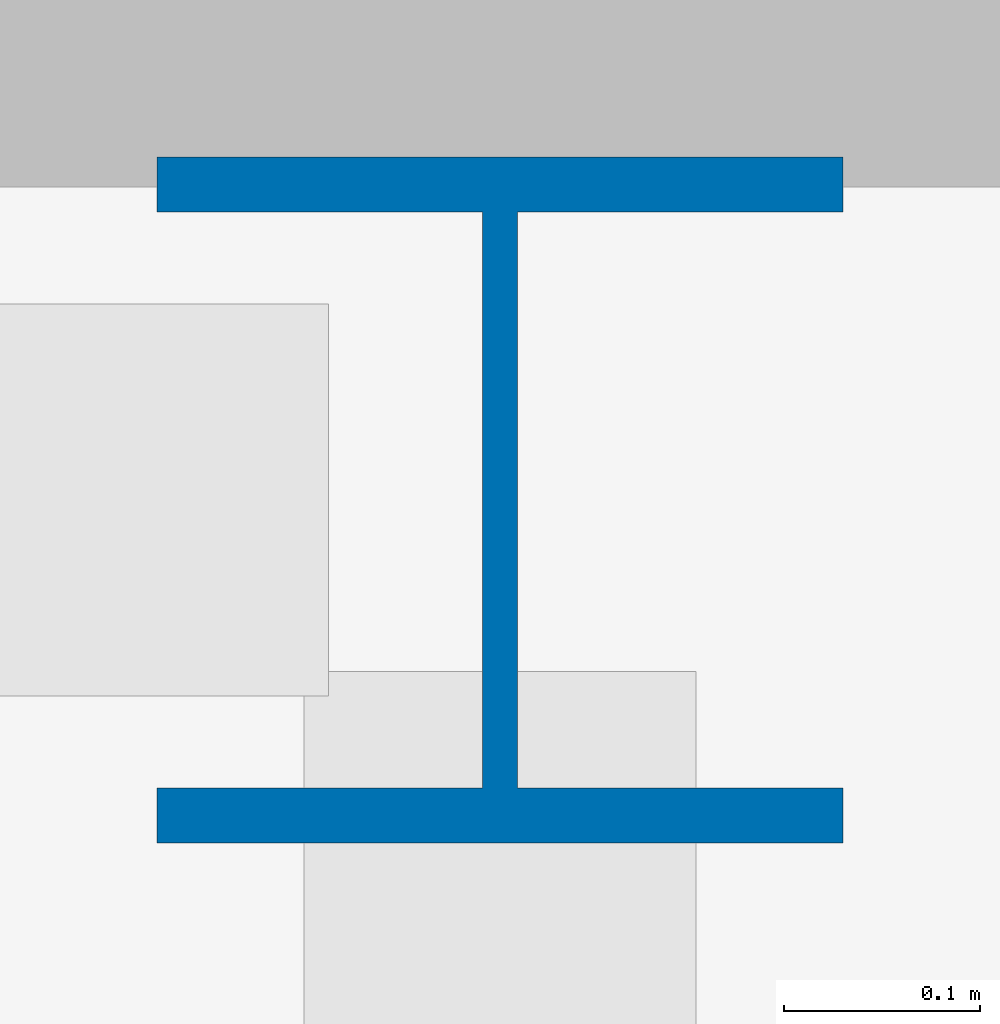
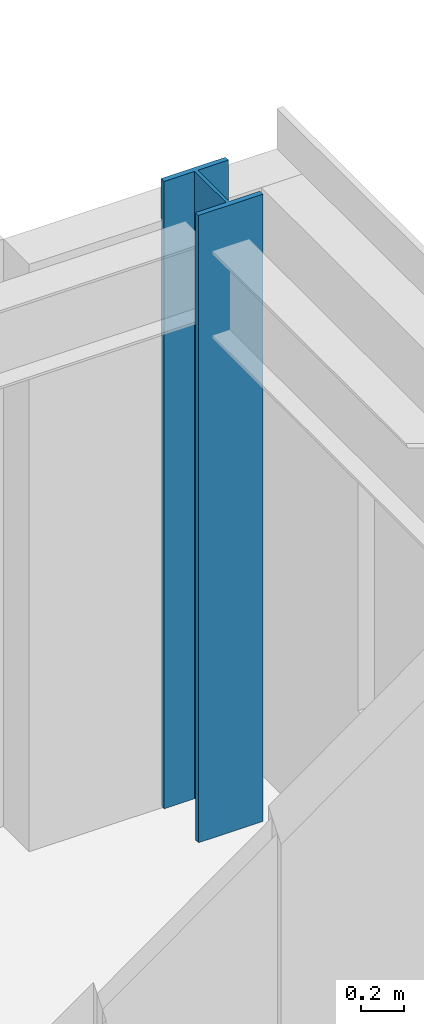
# One storey, part 4 of 22: 1 column.
"""IFC4 building model written with IfcOpenShell, lengths in metres."""

from ifc_helpers import new_model, si_unit, direction, frame, origin, origin_2d, place, context, subcontext, project, spatial, i_section, extrude, source, transform, mapped, material, material_profile, profile_set, type_object, element, save


model = new_model("IFC4")

# Units and contexts
model_context = context("Model", 3, precision=1e-05, world=origin(), true_north=direction((0.0, 1.0)))
body_context = subcontext(model_context, "Body", "Model", "MODEL_VIEW")
ifc_project = project(units=[si_unit("LENGTHUNIT", "METRE"), si_unit("AREAUNIT", "SQUARE_METRE"), si_unit("VOLUMEUNIT", "CUBIC_METRE"), si_unit("PLANEANGLEUNIT", "RADIAN"), si_unit("MASSUNIT", "GRAM", prefix="KILO")], contexts=[model_context])

# Site, building, storey
site_placement = place(None, origin())
site = spatial("IfcSite", under=ifc_project, at=site_placement, CompositionType="ELEMENT")
building_placement = place(site_placement, origin())
building = spatial("IfcBuilding", under=site, at=building_placement, Name="Trelvane Seafront Commons", CompositionType="ELEMENT")
storey_placement = place(building_placement, frame((0.0, 0.0, 273.89990234375)))
storey = spatial("IfcBuildingStorey", under=building, at=storey_placement, Name="L71", CompositionType="ELEMENT", Elevation=273.89990234375)

# Column
ifc_material = material(Name="Steel SM355 (S355)", Category="steel")
ifc_material_profile = material_profile(ifc_material, i_section(OverallWidth=0.35009765625, OverallDepth=0.35009765625, WebThickness=0.01806640625, FlangeThickness=0.028076171875, at=origin_2d()), Name="HD-350x350x18x28")
ifc_profile_set = profile_set([ifc_material_profile], Name="Steel SM355 (S355)")
column_type = type_object("IfcColumnType", Name="STR-COL-HD350", PredefinedType="COLUMN", material=ifc_profile_set)
shared_shape = source(origin(), body_context, "Body", "SweptSolid", [
    extrude(i_section(OverallWidth=0.35009765625, OverallDepth=0.35009765625, WebThickness=0.01806640625, FlangeThickness=0.028076171875, at=origin_2d()), origin(), (0.0, 0.0, 1.0), 3.60009765625),
])
column_placement = place(storey_placement, frame((65.60009765625, 45.10009765625, 0.0), z_axis=(0.0, 0.0, 1.0), x_axis=(1.0, 0.0, 0.0)))
element("IfcColumn", 1, at=column_placement, inside=storey, type_object=column_type, Name="L71 Column TC-CN65.6", PredefinedType="COLUMN", context=body_context, shape_type="MappedRepresentation", body=[
    mapped(shared_shape, transform((0.0, 0.0, 0.0), x_axis=(1.0, 0.0, 0.0), y_axis=(0.0, 1.0, 0.0), z_axis=(0.0, 0.0, 1.0), scale=1.0)),
])

save(model, "model.ifc")
